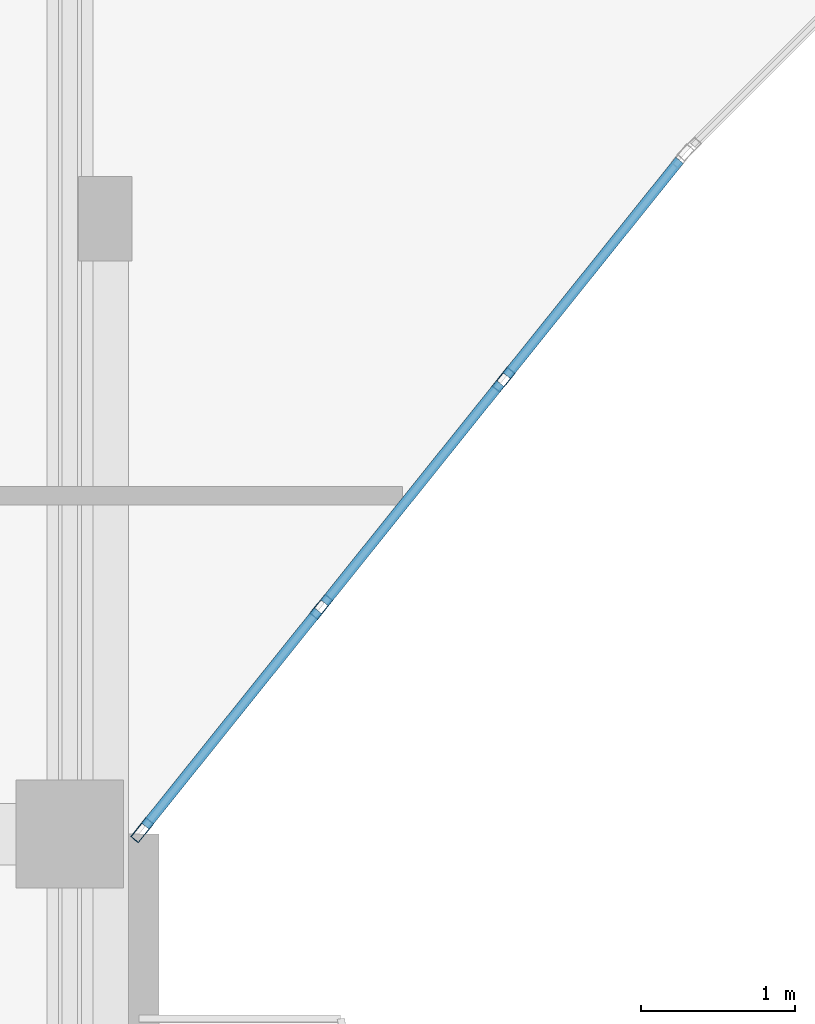
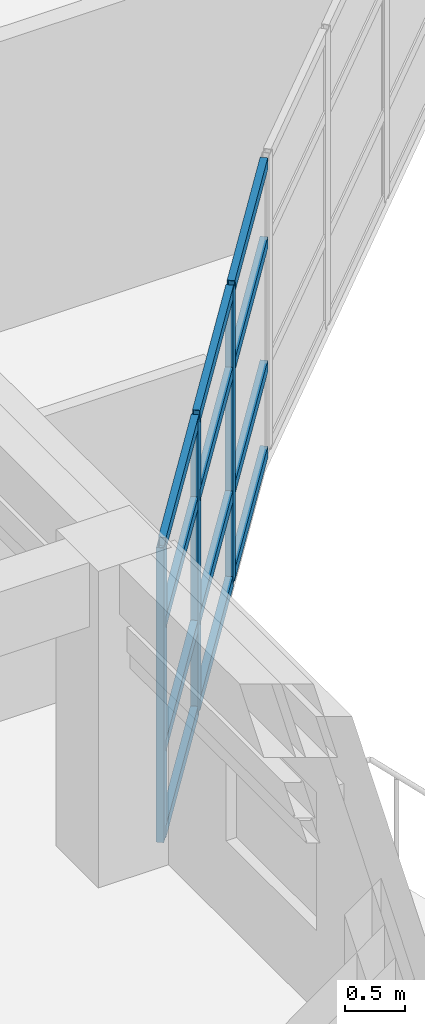
# One storey, part 20 of 89: 15 members, 1 element without a shape of its own.
"""IFC4 building model written with IfcOpenShell, lengths in metres."""

from ifc_helpers import new_model, si_unit, direction, frame, origin, origin_2d, place, context, subcontext, project, spatial, hollow_rectangle, extrude, material, layer, layer_set, material_profile, profile_set, type_object, element, aggregate, save


model = new_model("IFC4")

# Units and contexts
model_context = context("Model", 3, precision=1e-05, world=origin(), true_north=direction((0.0, 1.0)))
body_context = subcontext(model_context, "Body", "Model", "MODEL_VIEW")
ifc_project = project(units=[si_unit("LENGTHUNIT", "METRE"), si_unit("AREAUNIT", "SQUARE_METRE"), si_unit("VOLUMEUNIT", "CUBIC_METRE"), si_unit("PLANEANGLEUNIT", "RADIAN"), si_unit("MASSUNIT", "GRAM", prefix="KILO")], contexts=[model_context])

# Site, building, storey
site_placement = place(None, origin())
site = spatial("IfcSite", under=ifc_project, at=site_placement, CompositionType="ELEMENT")
building_placement = place(site_placement, origin())
building = spatial("IfcBuilding", under=site, at=building_placement, Name="Keldmere Railside Commons", CompositionType="ELEMENT")
storey_placement = place(building_placement, frame((0.0, 0.0, 7.360107421875)))
storey = spatial("IfcBuildingStorey", under=building, at=storey_placement, Name="L02", CompositionType="ELEMENT", Elevation=7.360107421875)

# Curtain wall, members
ifc_material = material(Name="Thermally Broken Aluminium", Category="aluminium")
ifc_layer = layer(ifc_material, 0.159912109375, Name="Court Chord Wintergarden CW 4800x2850")
ifc_layer_set = layer_set([ifc_layer], Name="Thermally Broken Aluminium")
curtain_wall_type = type_object("IfcCurtainWallType", Name="Court Chord Wintergarden CW 4800x2850", PredefinedType="NOTDEFINED", material=ifc_layer_set)
curtain_wall_placement = place(storey_placement, origin())
curtain_wall = element("IfcCurtainWall", 1, at=curtain_wall_placement, inside=storey, type_object=curtain_wall_type, Name="CW-12 CW-L02-097", PredefinedType="NOTDEFINED")
ifc_material_profile_1 = material_profile(ifc_material, hollow_rectangle(XDim=0.06494140625, YDim=0.159912109375, WallThickness=0.00390625, at=origin_2d()), Name="ALU-MULL-65x160")
ifc_profile_set_1 = profile_set([ifc_material_profile_1], Name="Thermally Broken Aluminium")
member_type_1 = type_object("IfcMemberType", Name="Unitised Curtain Wall Mullion 65x160", PredefinedType="MULLION", material=ifc_profile_set_1)
member_1_placement = place(storey_placement, frame((122.369384765625, 90.953369140625, 0.0), z_axis=(0.0, 0.0, 1.0), x_axis=(0.780009172323, -0.625768080915, 0.0)))
member_1 = element("IfcMember", 2, at=member_1_placement, type_object=member_type_1, Name="CW-12 mullion 2", PredefinedType="MULLION", context=body_context, shape_type="SweptSolid", body=[
    extrude(hollow_rectangle(XDim=0.06494140625, YDim=0.159912109375, WallThickness=0.00390625, at=origin_2d()), origin(), (0.0, 0.0, 1.0), 2.97998046875),
])
member_2_placement = place(storey_placement, frame((121.1845703125, 89.4765625, 0.0), z_axis=(0.0, 0.0, 1.0), x_axis=(0.780009172323, -0.625768080915, 0.0)))
member_2 = element("IfcMember", 3, at=member_2_placement, type_object=member_type_1, Name="CW-12 mullion 3", PredefinedType="MULLION", context=body_context, shape_type="SweptSolid", body=[
    extrude(hollow_rectangle(XDim=0.06494140625, YDim=0.159912109375, WallThickness=0.00390625, at=origin_2d()), origin(), (0.0, 0.0, 1.0), 2.97998046875),
])
member_3_placement = place(storey_placement, frame((120.020263671875, 88.025390625, 0.0), z_axis=(0.0, 0.0, 1.0), x_axis=(0.780009172323, -0.625768080915, 0.0)))
member_3 = element("IfcMember", 4, at=member_3_placement, type_object=member_type_1, Name="CW-12 mullion 4", PredefinedType="MULLION", context=body_context, shape_type="SweptSolid", body=[
    extrude(hollow_rectangle(XDim=0.06494140625, YDim=0.159912109375, WallThickness=0.00390625, at=origin_2d()), origin(), (0.0, 0.0, 1.0), 2.97998046875),
])
ifc_material_profile_2 = material_profile(ifc_material, hollow_rectangle(XDim=0.06494140625, YDim=0.1201171875, WallThickness=0.00390625, at=origin_2d()), Name="ALU-TRAN-65x120")
ifc_profile_set_2 = profile_set([ifc_material_profile_2], Name="Thermally Broken Aluminium")
member_type_2 = type_object("IfcMemberType", Name="Unitised Curtain Wall Transom 65x120", PredefinedType="USERDEFINED", material=ifc_profile_set_2)
member_4_placement = place(storey_placement, frame((123.513427734375, 92.37939453125, 0.032470703125), z_axis=(-0.625805275091, -0.779979331565, 0.0), x_axis=(0.779979331565, -0.625805275091, 0.0)))
member_4 = element("IfcMember", 5, at=member_4_placement, type_object=member_type_2, Name="CW-12 transom 1.1", ObjectType="TRANSOM", PredefinedType="USERDEFINED", context=body_context, shape_type="SweptSolid", body=[
    extrude(hollow_rectangle(XDim=0.06494140625, YDim=0.1201171875, WallThickness=0.00390625, at=origin_2d()), origin(), (0.0, 0.0, 1.0), 1.795654296875),
])
member_5_placement = place(storey_placement, frame((123.513427734375, 92.37939453125, 0.89990234375), z_axis=(-0.625805275091, -0.779979331565, 0.0), x_axis=(0.779979331565, -0.625805275091, 0.0)))
member_5 = element("IfcMember", 6, at=member_5_placement, type_object=member_type_2, Name="CW-12 transom 1.2", ObjectType="TRANSOM", PredefinedType="USERDEFINED", context=body_context, shape_type="SweptSolid", body=[
    extrude(hollow_rectangle(XDim=0.06494140625, YDim=0.1201171875, WallThickness=0.00390625, at=origin_2d()), origin(), (0.0, 0.0, 1.0), 1.795654296875),
])
member_6_placement = place(storey_placement, frame((123.513427734375, 92.37939453125, 2.14990234375), z_axis=(-0.625805275091, -0.779979331565, 0.0), x_axis=(0.779979331565, -0.625805275091, 0.0)))
member_6 = element("IfcMember", 7, at=member_6_placement, type_object=member_type_2, Name="CW-12 transom 1.3", ObjectType="TRANSOM", PredefinedType="USERDEFINED", context=body_context, shape_type="SweptSolid", body=[
    extrude(hollow_rectangle(XDim=0.06494140625, YDim=0.1201171875, WallThickness=0.00390625, at=origin_2d()), origin(), (0.0, 0.0, 1.0), 1.795654296875),
])
member_7_placement = place(storey_placement, frame((123.513427734375, 92.37939453125, 2.947509765625), z_axis=(-0.625805275091, -0.779979331565, 0.0), x_axis=(0.779979331565, -0.625805275091, 0.0)))
member_7 = element("IfcMember", 8, at=member_7_placement, type_object=member_type_2, Name="CW-12 transom 1.4", ObjectType="TRANSOM", PredefinedType="USERDEFINED", context=body_context, shape_type="SweptSolid", body=[
    extrude(hollow_rectangle(XDim=0.06494140625, YDim=0.1201171875, WallThickness=0.00390625, at=origin_2d()), origin(), (0.0, 0.0, 1.0), 1.795654296875),
])
member_8_placement = place(storey_placement, frame((122.348876953125, 90.927978515625, 0.032470703125), z_axis=(-0.625688033635, -0.78007338409, 0.0), x_axis=(0.78007338409, -0.625688033635, 0.0)))
member_8 = element("IfcMember", 9, at=member_8_placement, type_object=member_type_2, Name="CW-12 transom 2.1", ObjectType="TRANSOM", PredefinedType="USERDEFINED", context=body_context, shape_type="SweptSolid", body=[
    extrude(hollow_rectangle(XDim=0.06494140625, YDim=0.1201171875, WallThickness=0.00390625, at=origin_2d()), origin(), (0.0, 0.0, 1.0), 1.828125),
])
member_9_placement = place(storey_placement, frame((122.348876953125, 90.927978515625, 0.89990234375), z_axis=(-0.625688033635, -0.78007338409, 0.0), x_axis=(0.78007338409, -0.625688033635, 0.0)))
member_9 = element("IfcMember", 10, at=member_9_placement, type_object=member_type_2, Name="CW-12 transom 2.2", ObjectType="TRANSOM", PredefinedType="USERDEFINED", context=body_context, shape_type="SweptSolid", body=[
    extrude(hollow_rectangle(XDim=0.06494140625, YDim=0.1201171875, WallThickness=0.00390625, at=origin_2d()), origin(), (0.0, 0.0, 1.0), 1.828125),
])
member_10_placement = place(storey_placement, frame((122.348876953125, 90.927978515625, 2.14990234375), z_axis=(-0.625688033635, -0.78007338409, 0.0), x_axis=(0.78007338409, -0.625688033635, 0.0)))
member_10 = element("IfcMember", 11, at=member_10_placement, type_object=member_type_2, Name="CW-12 transom 2.3", ObjectType="TRANSOM", PredefinedType="USERDEFINED", context=body_context, shape_type="SweptSolid", body=[
    extrude(hollow_rectangle(XDim=0.06494140625, YDim=0.1201171875, WallThickness=0.00390625, at=origin_2d()), origin(), (0.0, 0.0, 1.0), 1.828125),
])
member_11_placement = place(storey_placement, frame((122.348876953125, 90.927978515625, 2.947509765625), z_axis=(-0.625688033635, -0.78007338409, 0.0), x_axis=(0.78007338409, -0.625688033635, 0.0)))
member_11 = element("IfcMember", 12, at=member_11_placement, type_object=member_type_2, Name="CW-12 transom 2.4", ObjectType="TRANSOM", PredefinedType="USERDEFINED", context=body_context, shape_type="SweptSolid", body=[
    extrude(hollow_rectangle(XDim=0.06494140625, YDim=0.1201171875, WallThickness=0.00390625, at=origin_2d()), origin(), (0.0, 0.0, 1.0), 1.828125),
])
member_12_placement = place(storey_placement, frame((121.164306640625, 89.451416015625, 0.032470703125), z_axis=(-0.625722553313, -0.780045694992, 0.0), x_axis=(0.780045694992, -0.625722553313, 0.0)))
member_12 = element("IfcMember", 13, at=member_12_placement, type_object=member_type_2, Name="CW-12 transom 3.1", ObjectType="TRANSOM", PredefinedType="USERDEFINED", context=body_context, shape_type="SweptSolid", body=[
    extrude(hollow_rectangle(XDim=0.06494140625, YDim=0.1201171875, WallThickness=0.00390625, at=origin_2d()), origin(), (0.0, 0.0, 1.0), 1.795654296875),
])
member_13_placement = place(storey_placement, frame((121.164306640625, 89.451416015625, 0.89990234375), z_axis=(-0.625722553313, -0.780045694992, 0.0), x_axis=(0.780045694992, -0.625722553313, 0.0)))
member_13 = element("IfcMember", 14, at=member_13_placement, type_object=member_type_2, Name="CW-12 transom 3.2", ObjectType="TRANSOM", PredefinedType="USERDEFINED", context=body_context, shape_type="SweptSolid", body=[
    extrude(hollow_rectangle(XDim=0.06494140625, YDim=0.1201171875, WallThickness=0.00390625, at=origin_2d()), origin(), (0.0, 0.0, 1.0), 1.795654296875),
])
member_14_placement = place(storey_placement, frame((121.164306640625, 89.451416015625, 2.14990234375), z_axis=(-0.625722553313, -0.780045694992, 0.0), x_axis=(0.780045694992, -0.625722553313, 0.0)))
member_14 = element("IfcMember", 15, at=member_14_placement, type_object=member_type_2, Name="CW-12 transom 3.3", ObjectType="TRANSOM", PredefinedType="USERDEFINED", context=body_context, shape_type="SweptSolid", body=[
    extrude(hollow_rectangle(XDim=0.06494140625, YDim=0.1201171875, WallThickness=0.00390625, at=origin_2d()), origin(), (0.0, 0.0, 1.0), 1.795654296875),
])
member_15_placement = place(storey_placement, frame((121.164306640625, 89.451416015625, 2.947509765625), z_axis=(-0.625722553313, -0.780045694992, 0.0), x_axis=(0.780045694992, -0.625722553313, 0.0)))
member_15 = element("IfcMember", 16, at=member_15_placement, type_object=member_type_2, Name="CW-12 transom 3.4", ObjectType="TRANSOM", PredefinedType="USERDEFINED", context=body_context, shape_type="SweptSolid", body=[
    extrude(hollow_rectangle(XDim=0.06494140625, YDim=0.1201171875, WallThickness=0.00390625, at=origin_2d()), origin(), (0.0, 0.0, 1.0), 1.795654296875),
])
aggregate(curtain_wall, [member_1, member_2, member_3, member_4, member_5, member_6, member_7, member_8, member_9, member_10, member_11, member_12, member_13, member_14, member_15])

save(model, "model.ifc")
